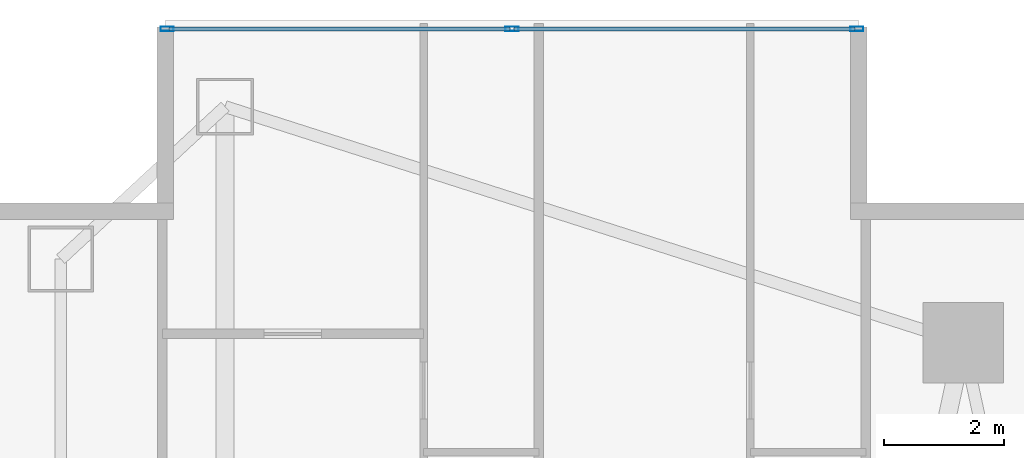
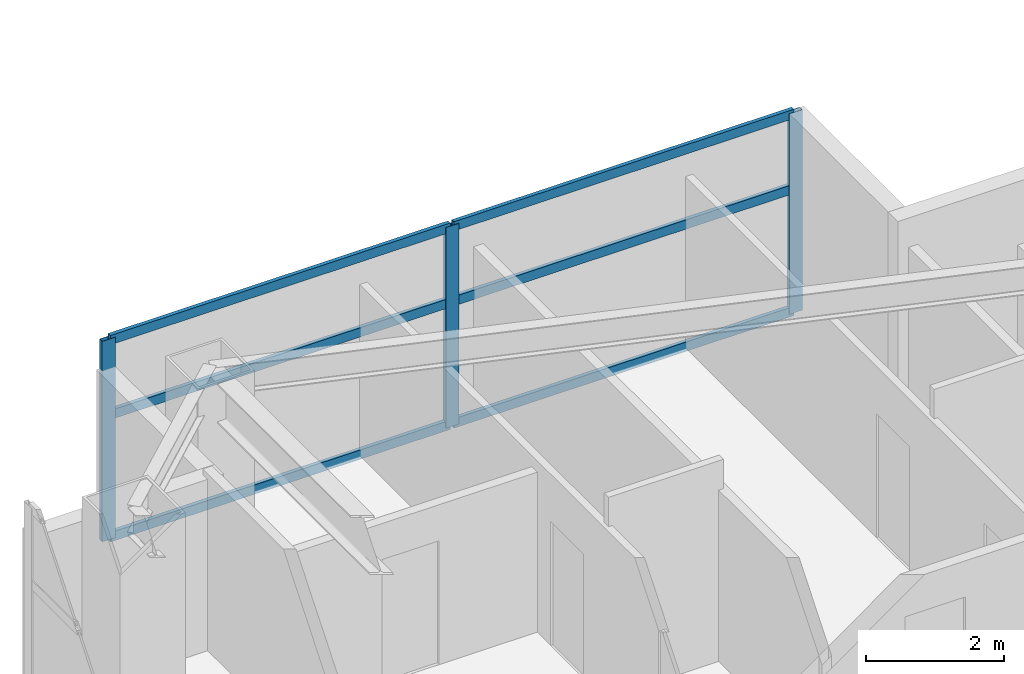
# One storey, part 19 of 29: 9 members, 1 element without a shape of its own.
"""IFC4 building model written with IfcOpenShell, lengths in metres."""

import ifcopenshell
import ifcopenshell.guid

model = None  # the IFC model being written
_history = None  # IfcOwnerHistory: only IFC2X3 demands one
_inside = {}  # id of a spatial element -> (the spatial element, [elements in it])
_under = {}  # id of a project, library or spatial element -> (it, [spatial elements below it])
_declared = {}  # id of a project -> (the project, [libraries it declares])
_typed = {}  # id of a type object -> (the type object, [elements of that type])
_made_of = {}  # id of a material, layer set ... -> (it, [elements and type objects made of it])


def new_model(schema):
    """Start an empty IFC model of exactly this schema.

    Asked for "IFC4X3", IfcOpenShell would pick the latest addendum, in which some entities
    have other attributes; the version numbers below select the first issue.
    IFC2X3 requires an IfcOwnerHistory on every rooted entity: one is made here for all.
    """
    global model, _history
    if schema == "IFC4X3":
        model = ifcopenshell.file(schema_version=(4, 3, 0, 0))
    else:
        model = ifcopenshell.file(schema=schema)
    _inside.clear()
    _under.clear()
    _declared.clear()
    _typed.clear()
    _made_of.clear()
    _history = None
    if model.schema == "IFC2X3":
        org = make("IfcOrganization", Name="unknown")
        user = make(
            "IfcPersonAndOrganization",
            ThePerson=make("IfcPerson", FamilyName="unknown"),
            TheOrganization=org,
        )
        app = make(
            "IfcApplication",
            ApplicationDeveloper=org,
            Version="unknown",
            ApplicationFullName="unknown",
            ApplicationIdentifier="unknown",
        )
        _history = make(
            "IfcOwnerHistory",
            OwningUser=user,
            OwningApplication=app,
            ChangeAction="ADDED",
            CreationDate=0,
        )
    return model


def make(cls, **values):
    """One entity of the class cls with the attributes given. An attribute that is None is left unset."""
    return model.create_entity(
        cls, **{name: value for name, value in values.items() if value is not None}
    )


def rooted(cls, **values):
    """An entity with a GlobalId (a new one), such as an element, a storey or a relation."""
    return make(cls, GlobalId=ifcopenshell.guid.new(), OwnerHistory=_history, **values)


def si_unit(unit_type, name, prefix=None):
    """IfcSIUnit, for example si_unit("LENGTHUNIT", "METRE", prefix="MILLI")."""
    return make("IfcSIUnit", UnitType=unit_type, Prefix=prefix, Name=name)


def assignment(units):
    """IfcUnitAssignment: the units of a project."""
    return None if units is None else make("IfcUnitAssignment", Units=units)


def point(xyz):
    """IfcCartesianPoint."""
    return None if xyz is None else make("IfcCartesianPoint", Coordinates=xyz)


def direction(xyz):
    """IfcDirection."""
    return None if xyz is None else make("IfcDirection", DirectionRatios=xyz)


def frame(location, z_axis=None, x_axis=None):
    """IfcAxis2Placement3D, a coordinate frame: its origin and axes. An axis left out is left unset."""
    return make(
        "IfcAxis2Placement3D",
        Location=point(location),
        Axis=direction(z_axis),
        RefDirection=direction(x_axis),
    )


def frame_2d(location, x_axis=None):
    """IfcAxis2Placement2D, a coordinate frame in the plane: its origin and x axis."""
    return make(
        "IfcAxis2Placement2D", Location=point(location), RefDirection=direction(x_axis)
    )


def origin():
    """The frame at (0, 0, 0) with its axes left unset."""
    return frame((0.0, 0.0, 0.0))


def origin_2d():
    """The frame at (0, 0) in the plane with its x axis left unset."""
    return frame_2d((0.0, 0.0))


def place(relative_to, where):
    """IfcLocalPlacement: puts the frame where relative to a parent placement (None: the world)."""
    return make(
        "IfcLocalPlacement", PlacementRelTo=relative_to, RelativePlacement=where
    )


def context(
    kind, dimensions, precision=None, world=None, true_north=None, identifier=None
):
    """IfcGeometricRepresentationContext, for example the 3D "Model" context."""
    return make(
        "IfcGeometricRepresentationContext",
        ContextIdentifier=identifier,
        ContextType=kind,
        CoordinateSpaceDimension=dimensions,
        Precision=precision,
        WorldCoordinateSystem=world,
        TrueNorth=true_north,
    )


def subcontext(parent, identifier, kind, view, scale=None):
    """IfcGeometricRepresentationSubContext, for example "Body" below "Model"."""
    return make(
        "IfcGeometricRepresentationSubContext",
        ContextIdentifier=identifier,
        ContextType=kind,
        ParentContext=parent,
        TargetScale=scale,
        TargetView=view,
    )


def project(units=None, contexts=None):
    """IfcProject with its units and contexts."""
    return rooted(
        "IfcProject",
        Name="project",
        RepresentationContexts=contexts,
        UnitsInContext=assignment(units),
    )


def spatial(cls, under=None, at=None, **own):
    """A site, building, storey or space (cls), placed at a placement, below another one or the project."""
    s = rooted(cls, ObjectPlacement=at, **own)
    if under is not None:
        _under.setdefault(under.id(), (under, []))[1].append(s)
    return s


def profile(cls, at=None, kind="AREA", **sizes):
    """A parametric profile (cls). Its sizes go by their IFC names, for example OverallWidth=200.0."""
    return make(cls, ProfileType=kind, Position=at, **sizes)


def hollow_rectangle(**sizes):
    """IfcRectangleHollowProfileDef."""
    return profile("IfcRectangleHollowProfileDef", **sizes)


def extrude(swept, where, along, depth):
    """IfcExtrudedAreaSolid: the profile swept, set in the frame where, extruded along a direction by depth."""
    return make(
        "IfcExtrudedAreaSolid",
        SweptArea=swept,
        Position=where,
        ExtrudedDirection=direction(along),
        Depth=depth,
    )


def shape(context_of_items, identifier, shape_type, items):
    """IfcShapeRepresentation: the items that make up one representation, for example the "Body"."""
    return make(
        "IfcShapeRepresentation",
        ContextOfItems=context_of_items,
        RepresentationIdentifier=identifier,
        RepresentationType=shape_type,
        Items=items,
    )


def material(Name=None, Category=None):
    """IfcMaterial."""
    return make("IfcMaterial", Name=Name, Category=Category)


def layer(
    of_material, thickness, ventilated=None, Name=None, Category=None, Priority=None
):
    """IfcMaterialLayer: one layer of a wall or slab, of a material (None: an air gap)."""
    return make(
        "IfcMaterialLayer",
        Material=of_material,
        LayerThickness=thickness,
        IsVentilated=ventilated,
        Name=Name,
        Category=Category,
        Priority=Priority,
    )


def layer_set(layers, Name=None):
    """IfcMaterialLayerSet."""
    return make("IfcMaterialLayerSet", MaterialLayers=layers, LayerSetName=Name)


def material_profile(
    of_material, cross_section, Name=None, Category=None, Priority=None
):
    """IfcMaterialProfile: a cross section and its material."""
    return make(
        "IfcMaterialProfile",
        Name=Name,
        Material=of_material,
        Profile=cross_section,
        Priority=Priority,
        Category=Category,
    )


def profile_set(profiles, Name=None, composite=None):
    """IfcMaterialProfileSet."""
    return make(
        "IfcMaterialProfileSet",
        Name=Name,
        MaterialProfiles=profiles,
        CompositeProfile=composite,
    )


def made_of(thing, what):
    """Note that an element or type object is made of a material, layer set ...; save() writes the relation."""
    if what is not None:
        _made_of.setdefault(what.id(), (what, []))[1].append(thing)
    return thing


def type_object(cls, material=None, **own):
    """A type object (cls), such as IfcWallType, which elements share."""
    return made_of(rooted(cls, **own), material)


def element(
    cls,
    number,
    at=None,
    inside=None,
    cuts=None,
    type_object=None,
    material=None,
    context=None,
    identifier="Body",
    shape_type=None,
    held_by="IfcProductDefinitionShape",
    body=None,
    shapes=None,
    **own,
):
    """One element of the class cls, such as IfcWall. Its Tag is "e" and its number.

    at: its placement. inside: the storey or other place that contains it. cuts: it is an
    opening in that element (IfcRelVoidsElement). A single representation is given by context,
    identifier, shape_type and body (its items); several are given by shapes. held_by: the class
    of the entity that holds the representations. save() writes the other relations.
    """
    e = rooted(cls, Tag="e%d" % number, ObjectPlacement=at, **own)
    if body is not None:
        shapes = [shape(context, identifier, shape_type, body)]
    if shapes is not None:
        e.Representation = make(held_by, Representations=shapes)
    if inside is not None:
        _inside.setdefault(inside.id(), (inside, []))[1].append(e)
    if cuts is not None:
        rooted(
            "IfcRelVoidsElement", RelatingBuildingElement=cuts, RelatedOpeningElement=e
        )
    if type_object is not None:
        _typed.setdefault(type_object.id(), (type_object, []))[1].append(e)
    return made_of(e, material)


def aggregate(whole, parts):
    """IfcRelAggregates: a whole, such as a stair, and the parts it consists of."""
    return rooted("IfcRelAggregates", RelatingObject=whole, RelatedObjects=parts)


def save(model, path):
    """Write the relations noted so far, then the file.

    IfcRelAggregates (storeys below a building ...), IfcRelContainedInSpatialStructure (elements
    in a storey), IfcRelDefinesByType, IfcRelAssociatesMaterial and IfcRelDeclares: one each for
    every whole, place, type object, material and project.
    """
    for whole, parts in _under.values():
        aggregate(whole, parts)
    for where, things in _inside.values():
        rooted(
            "IfcRelContainedInSpatialStructure",
            RelatedElements=things,
            RelatingStructure=where,
        )
    for kind, things in _typed.values():
        rooted("IfcRelDefinesByType", RelatedObjects=things, RelatingType=kind)
    for what, things in _made_of.values():
        rooted("IfcRelAssociatesMaterial", RelatedObjects=things, RelatingMaterial=what)
    for by, libraries in _declared.values():
        rooted("IfcRelDeclares", RelatingContext=by, RelatedDefinitions=libraries)
    model.write(path)


model = new_model("IFC4")

# Units and contexts
model_context = context("Model", 3, precision=1e-05, world=origin(), true_north=direction((0.0, 1.0)))
body_context = subcontext(model_context, "Body", "Model", "MODEL_VIEW")
ifc_project = project(units=[si_unit("LENGTHUNIT", "METRE"), si_unit("AREAUNIT", "SQUARE_METRE"), si_unit("VOLUMEUNIT", "CUBIC_METRE"), si_unit("PLANEANGLEUNIT", "RADIAN"), si_unit("MASSUNIT", "GRAM", prefix="KILO")], contexts=[model_context])

# Site, building, storey
site_placement = place(None, origin())
site = spatial("IfcSite", under=ifc_project, at=site_placement, CompositionType="ELEMENT")
building_placement = place(site_placement, origin())
building = spatial("IfcBuilding", under=site, at=building_placement, Name="Calvorn Quay Hotel", CompositionType="ELEMENT")
storey_placement = place(building_placement, frame((0.0, 0.0, 69.800048828125)))
storey = spatial("IfcBuildingStorey", under=building, at=storey_placement, Name="L16", CompositionType="ELEMENT", Elevation=69.800048828125)

# Curtain wall, members
ifc_material_1 = material(Name="Pale Anodised Aluminium and Low-E Glass", Category="aluminium")
ifc_layer = layer(ifc_material_1, 0.219970703125)
ifc_layer_set = layer_set([ifc_layer], Name="CW-SYS-Z1")
curtain_wall_type = type_object("IfcCurtainWallType", Name="CW-SYS-Z1", PredefinedType="NOTDEFINED", material=ifc_layer_set)
curtain_wall_placement = place(storey_placement, origin())
curtain_wall = element("IfcCurtainWall", 1, at=curtain_wall_placement, inside=storey, type_object=curtain_wall_type, Name="Inner Court Curtain Wall L16-N1", PredefinedType="NOTDEFINED")
ifc_material_2 = material(Name="Pale Anodised Aluminium 6063-T6", Category="aluminium")
ifc_material_profile_1 = material_profile(ifc_material_2, hollow_rectangle(XDim=0.074951171875, YDim=0.219970703125, WallThickness=0.00439453125, at=origin_2d()), Name="ALU-M220x75x4.5")
ifc_profile_set_1 = profile_set([ifc_material_profile_1], Name="Pale Anodised Aluminium 6063-T6")
member_type_1 = type_object("IfcMemberType", Name="CW-SYS-Z1-MUL", PredefinedType="MULLION", material=ifc_profile_set_1)
member_1_placement = place(storey_placement, frame((14.77001953125, 50.85009765625, 0.0), z_axis=(0.0, 0.0, 1.0), x_axis=(0.0, -1.0, 0.0)))
member_1 = element("IfcMember", 2, at=member_1_placement, type_object=member_type_1, Name="CW-L16-N1 mullion 1", PredefinedType="MULLION", context=body_context, shape_type="SweptSolid", body=[
    extrude(hollow_rectangle(XDim=0.074951171875, YDim=0.219970703125, WallThickness=0.00439453125, at=origin_2d()), origin(), (0.0, 0.0, 1.0), 3.56005859375),
])
member_2_placement = place(storey_placement, frame((9.0, 50.85009765625, 0.0), z_axis=(0.0, 0.0, 1.0), x_axis=(0.0, -1.0, 0.0)))
member_2 = element("IfcMember", 3, at=member_2_placement, type_object=member_type_1, Name="CW-L16-N1 mullion 2", PredefinedType="MULLION", context=body_context, shape_type="SweptSolid", body=[
    extrude(hollow_rectangle(XDim=0.074951171875, YDim=0.219970703125, WallThickness=0.00439453125, at=origin_2d()), origin(), (0.0, 0.0, 1.0), 3.56005859375),
])
member_3_placement = place(storey_placement, frame((3.22998046875, 50.85009765625, 0.0), z_axis=(0.0, 0.0, 1.0), x_axis=(0.0, -1.0, 0.0)))
member_3 = element("IfcMember", 4, at=member_3_placement, type_object=member_type_1, Name="CW-L16-N1 mullion 3", PredefinedType="MULLION", context=body_context, shape_type="SweptSolid", body=[
    extrude(hollow_rectangle(XDim=0.074951171875, YDim=0.219970703125, WallThickness=0.00439453125, at=origin_2d()), origin(), (0.0, 0.0, 1.0), 3.56005859375),
])
ifc_material_3 = material(Name="Pale Anodised Aluminium 6063-T6", Category="aluminium")
ifc_material_profile_2 = material_profile(ifc_material_3, hollow_rectangle(XDim=0.06494140625, YDim=0.1650390625, WallThickness=0.00341796875, at=origin_2d()), Name="ALU-T165x65x3.5")
ifc_profile_set_2 = profile_set([ifc_material_profile_2], Name="Pale Anodised Aluminium 6063-T6")
member_type_2 = type_object("IfcMemberType", Name="CW-SYS-Z1-TRN", PredefinedType="USERDEFINED", material=ifc_profile_set_2)
member_4_placement = place(storey_placement, frame((14.739990234375, 50.85009765625, 0.030029296875), z_axis=(-1.0, 0.0, 0.0), x_axis=(0.0, -1.0, 0.0)))
member_4 = element("IfcMember", 5, at=member_4_placement, type_object=member_type_2, Name="CW-L16-N1 transom 1.1", ObjectType="TRANSOM", PredefinedType="USERDEFINED", context=body_context, shape_type="SweptSolid", body=[
    extrude(hollow_rectangle(XDim=0.06494140625, YDim=0.1650390625, WallThickness=0.00341796875, at=origin_2d()), origin(), (0.0, 0.0, 1.0), 5.7099609375),
])
member_5_placement = place(storey_placement, frame((14.739990234375, 50.85009765625, 2.199951171875), z_axis=(-1.0, 0.0, 0.0), x_axis=(0.0, -1.0, 0.0)))
member_5 = element("IfcMember", 6, at=member_5_placement, type_object=member_type_2, Name="CW-L16-N1 transom 1.2", ObjectType="TRANSOM", PredefinedType="USERDEFINED", context=body_context, shape_type="SweptSolid", body=[
    extrude(hollow_rectangle(XDim=0.06494140625, YDim=0.1650390625, WallThickness=0.00341796875, at=origin_2d()), origin(), (0.0, 0.0, 1.0), 5.7099609375),
])
member_6_placement = place(storey_placement, frame((14.739990234375, 50.85009765625, 3.530029296875), z_axis=(-1.0, 0.0, 0.0), x_axis=(0.0, -1.0, 0.0)))
member_6 = element("IfcMember", 7, at=member_6_placement, type_object=member_type_2, Name="CW-L16-N1 transom 1.3", ObjectType="TRANSOM", PredefinedType="USERDEFINED", context=body_context, shape_type="SweptSolid", body=[
    extrude(hollow_rectangle(XDim=0.06494140625, YDim=0.1650390625, WallThickness=0.00341796875, at=origin_2d()), origin(), (0.0, 0.0, 1.0), 5.7099609375),
])
member_7_placement = place(storey_placement, frame((8.969970703125, 50.85009765625, 0.030029296875), z_axis=(-1.0, 0.0, 0.0), x_axis=(0.0, -1.0, 0.0)))
member_7 = element("IfcMember", 8, at=member_7_placement, type_object=member_type_2, Name="CW-L16-N1 transom 2.1", ObjectType="TRANSOM", PredefinedType="USERDEFINED", context=body_context, shape_type="SweptSolid", body=[
    extrude(hollow_rectangle(XDim=0.06494140625, YDim=0.1650390625, WallThickness=0.00341796875, at=origin_2d()), origin(), (0.0, 0.0, 1.0), 5.7099609375),
])
member_8_placement = place(storey_placement, frame((8.969970703125, 50.85009765625, 2.199951171875), z_axis=(-1.0, 0.0, 0.0), x_axis=(0.0, -1.0, 0.0)))
member_8 = element("IfcMember", 9, at=member_8_placement, type_object=member_type_2, Name="CW-L16-N1 transom 2.2", ObjectType="TRANSOM", PredefinedType="USERDEFINED", context=body_context, shape_type="SweptSolid", body=[
    extrude(hollow_rectangle(XDim=0.06494140625, YDim=0.1650390625, WallThickness=0.00341796875, at=origin_2d()), origin(), (0.0, 0.0, 1.0), 5.7099609375),
])
member_9_placement = place(storey_placement, frame((8.969970703125, 50.85009765625, 3.530029296875), z_axis=(-1.0, 0.0, 0.0), x_axis=(0.0, -1.0, 0.0)))
member_9 = element("IfcMember", 10, at=member_9_placement, type_object=member_type_2, Name="CW-L16-N1 transom 2.3", ObjectType="TRANSOM", PredefinedType="USERDEFINED", context=body_context, shape_type="SweptSolid", body=[
    extrude(hollow_rectangle(XDim=0.06494140625, YDim=0.1650390625, WallThickness=0.00341796875, at=origin_2d()), origin(), (0.0, 0.0, 1.0), 5.7099609375),
])
aggregate(curtain_wall, [member_1, member_2, member_3, member_4, member_5, member_6, member_7, member_8, member_9])

save(model, "model.ifc")
